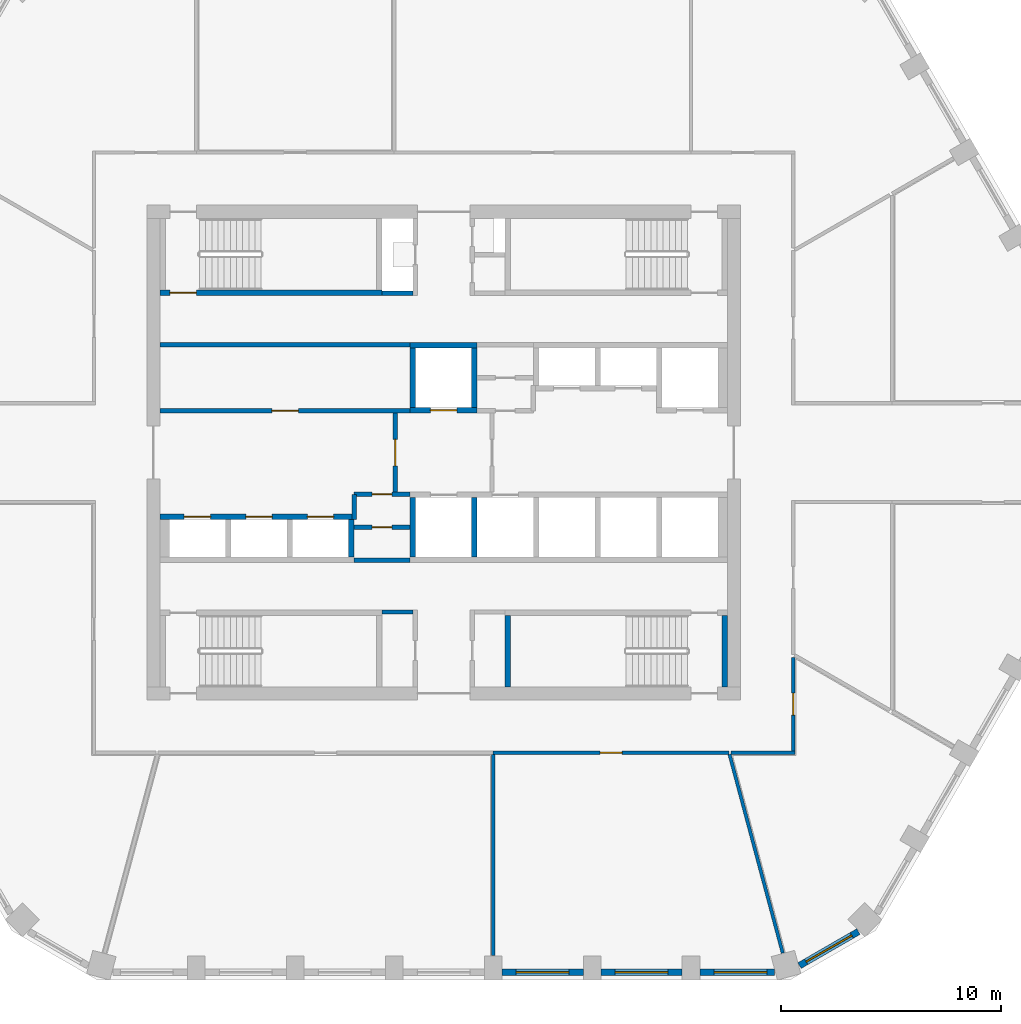
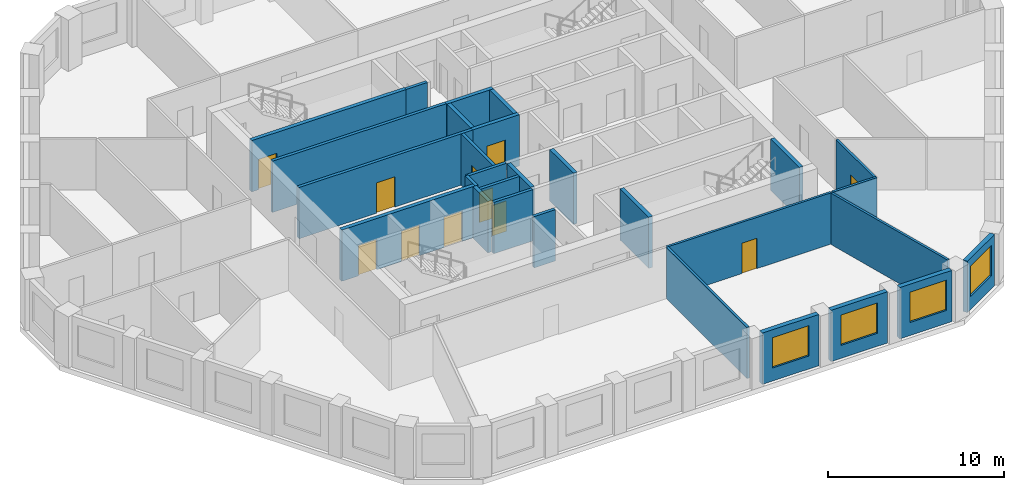
# One storey, part 3 of 11: 29 walls, 11 doors, 4 windows, 15 openings.
"""IFC4 building model written with IfcOpenShell, lengths in metres."""

from ifc_helpers import new_model, si_unit, direction, frame, frame_2d, origin, place, context, subcontext, project, spatial, polyline, rectangle, outline, extrude, material, layer, layer_set, type_object, element, fill, save


model = new_model("IFC4")

# Units and contexts
model_context = context("Model", 3, precision=1e-05, world=origin(), true_north=direction((0.0, 1.0)))
body_context = subcontext(model_context, "Body", "Model", "MODEL_VIEW")
ifc_project = project(units=[si_unit("LENGTHUNIT", "METRE"), si_unit("AREAUNIT", "SQUARE_METRE"), si_unit("VOLUMEUNIT", "CUBIC_METRE"), si_unit("PLANEANGLEUNIT", "RADIAN"), si_unit("MASSUNIT", "GRAM", prefix="KILO")], contexts=[model_context])

# Site, building, storey
site_placement = place(None, origin())
site = spatial("IfcSite", under=ifc_project, at=site_placement, CompositionType="ELEMENT")
building_placement = place(site_placement, origin())
building = spatial("IfcBuilding", under=site, at=building_placement, Name="Dhurran Vertical Campus", CompositionType="ELEMENT")
storey_placement = place(building_placement, frame((0.0, 0.0, 215.10009765625)))
storey = spatial("IfcBuildingStorey", under=building, at=storey_placement, Name="L53", CompositionType="ELEMENT", Elevation=215.10009765625)

# Wall, opening, window
ifc_material_1 = material(Name="Precast concrete C50/60", Category="concrete")
ifc_layer_1 = layer(ifc_material_1, 0.300048828125)
ifc_layer_set_1 = layer_set([ifc_layer_1], Name="Precast concrete C50/60")
wall_type_1 = type_object("IfcWallType", Name="Precast spandrel wall 300", PredefinedType="SOLIDWALL", material=ifc_layer_set_1)
wall_1_placement = place(storey_placement, frame((2.650390625, -23.635498046875, 0.0), z_axis=(0.0, 0.0, 1.0), x_axis=(1.0, 0.0, 0.0)))
wall_1 = element("IfcWall", 1, at=wall_1_placement, inside=storey, type_object=wall_type_1, Name="EW1 L53.04", PredefinedType="SOLIDWALL", context=body_context, shape_type="SweptSolid", body=[
    extrude(rectangle(XDim=3.69921875, YDim=0.300048828125, at=frame_2d((1.849609375, 0.0))), origin(), (0.0, 0.0, 1.0), 3.5498046875),
])
opening_1_placement = place(wall_1_placement, frame((0.6494140625, 0.0, 0.89990234375)))
opening_1 = element("IfcOpeningElement", 2, at=opening_1_placement, cuts=wall_1, Name="Opening WT1", PredefinedType="OPENING", context=body_context, shape_type="SweptSolid", body=[
    extrude(rectangle(XDim=2.39990234375, YDim=2.10009765625, at=frame_2d((1.199951171875, 1.050048828125))), frame((0.0, 0.159912109375, 0.0), z_axis=(0.0, -1.0, 0.0), x_axis=(1.0, 0.0, 0.0)), (0.0, 0.0, 1.0), 0.320068359375),
])
ifc_material_2 = material(Name="Aluminium frame with solar-control glass", Category="aluminium")
window_type = type_object("IfcWindowType", Name="Punched window 2400 x 2100", PartitioningType="SINGLE_PANEL", PredefinedType="WINDOW", material=ifc_material_2)
window_1_placement = place(opening_1_placement, origin())
window_1 = element("IfcWindow", 3, at=window_1_placement, inside=storey, type_object=window_type, Name="WT1 L53.04", OverallHeight=2.10009765625, OverallWidth=2.39990234375, PartitioningType="SINGLE_PANEL", PredefinedType="WINDOW", context=body_context, shape_type="SweptSolid", body=[
    extrude(rectangle(XDim=2.39990234375, YDim=2.10009765625, at=frame_2d((1.199951171875, 1.050048828125))), frame((0.0, 0.030029296875, 0.0), z_axis=(0.0, -1.0, 0.0), x_axis=(1.0, 0.0, 0.0)), (0.0, 0.0, 1.0), 0.06005859375),
])
fill(opening_1, window_1)

wall_2_placement = place(storey_placement, frame((7.150390625, -23.635498046875, 0.0), z_axis=(0.0, 0.0, 1.0), x_axis=(1.0, 0.0, 0.0)))
wall_2 = element("IfcWall", 4, at=wall_2_placement, inside=storey, type_object=wall_type_1, Name="EW1 L53.05", PredefinedType="SOLIDWALL", context=body_context, shape_type="SweptSolid", body=[
    extrude(rectangle(XDim=3.69921875, YDim=0.300048828125, at=frame_2d((1.849609375, 0.0))), origin(), (0.0, 0.0, 1.0), 3.5498046875),
])
opening_2_placement = place(wall_2_placement, frame((0.6494140625, 0.0, 0.89990234375)))
opening_2 = element("IfcOpeningElement", 5, at=opening_2_placement, cuts=wall_2, Name="Opening WT1", PredefinedType="OPENING", context=body_context, shape_type="SweptSolid", body=[
    extrude(rectangle(XDim=2.39990234375, YDim=2.10009765625, at=frame_2d((1.199951171875, 1.050048828125))), frame((0.0, 0.159912109375, 0.0), z_axis=(0.0, -1.0, 0.0), x_axis=(1.0, 0.0, 0.0)), (0.0, 0.0, 1.0), 0.320068359375),
])
window_2_placement = place(opening_2_placement, origin())
window_2 = element("IfcWindow", 6, at=window_2_placement, inside=storey, type_object=window_type, Name="WT1 L53.05", OverallHeight=2.10009765625, OverallWidth=2.39990234375, PartitioningType="SINGLE_PANEL", PredefinedType="WINDOW", context=body_context, shape_type="SweptSolid", body=[
    extrude(rectangle(XDim=2.39990234375, YDim=2.10009765625, at=frame_2d((1.199951171875, 1.050048828125))), frame((0.0, 0.030029296875, 0.0), z_axis=(0.0, -1.0, 0.0), x_axis=(1.0, 0.0, 0.0)), (0.0, 0.0, 1.0), 0.06005859375),
])
fill(opening_2, window_2)

wall_3_placement = place(storey_placement, frame((11.650390625, -23.635498046875, 0.0), z_axis=(0.0, 0.0, 1.0), x_axis=(1.0, 0.0, 0.0)))
wall_3 = element("IfcWall", 7, at=wall_3_placement, inside=storey, type_object=wall_type_1, Name="EW1 L53.06", PredefinedType="SOLIDWALL", context=body_context, shape_type="SweptSolid", body=[
    extrude(rectangle(XDim=3.39599609375, YDim=0.300048828125, at=frame_2d((1.697998046875, 0.0))), origin(), (0.0, 0.0, 1.0), 3.5498046875),
])
opening_3_placement = place(wall_3_placement, frame((0.6494140625, 0.0, 0.89990234375)))
opening_3 = element("IfcOpeningElement", 8, at=opening_3_placement, cuts=wall_3, Name="Opening WT1", PredefinedType="OPENING", context=body_context, shape_type="SweptSolid", body=[
    extrude(rectangle(XDim=2.39990234375, YDim=2.10009765625, at=frame_2d((1.199951171875, 1.050048828125))), frame((0.0, 0.159912109375, 0.0), z_axis=(0.0, -1.0, 0.0), x_axis=(1.0, 0.0, 0.0)), (0.0, 0.0, 1.0), 0.320068359375),
])
window_3_placement = place(opening_3_placement, origin())
window_3 = element("IfcWindow", 9, at=window_3_placement, inside=storey, type_object=window_type, Name="WT1 L53.06", OverallHeight=2.10009765625, OverallWidth=2.39990234375, PartitioningType="SINGLE_PANEL", PredefinedType="WINDOW", context=body_context, shape_type="SweptSolid", body=[
    extrude(rectangle(XDim=2.39990234375, YDim=2.10009765625, at=frame_2d((1.199951171875, 1.050048828125))), frame((0.0, 0.030029296875, 0.0), z_axis=(0.0, -1.0, 0.0), x_axis=(1.0, 0.0, 0.0)), (0.0, 0.0, 1.0), 0.06005859375),
])
fill(opening_3, window_3)

wall_4_placement = place(storey_placement, frame((16.184326171875, -23.330810546875, 0.0), z_axis=(0.0, 0.0, 1.0), x_axis=(0.865994975416, 0.500052699777, 0.0)))
wall_4 = element("IfcWall", 10, at=wall_4_placement, inside=storey, type_object=wall_type_1, Name="EW1 L53.07", PredefinedType="SOLIDWALL", context=body_context, shape_type="SweptSolid", body=[
    extrude(rectangle(XDim=3.093017578125, YDim=0.300048828125, at=frame_2d((1.54638671875, 0.0))), origin(), (0.0, 0.0, 1.0), 3.5498046875),
])
opening_4_placement = place(wall_4_placement, frame((0.346435546875, 0.0, 0.89990234375)))
opening_4 = element("IfcOpeningElement", 11, at=opening_4_placement, cuts=wall_4, Name="Opening WT1", PredefinedType="OPENING", context=body_context, shape_type="SweptSolid", body=[
    extrude(rectangle(XDim=2.39990234375, YDim=2.10009765625, at=frame_2d((1.199951171875, 1.050048828125))), frame((0.0, 0.159912109375, 0.0), z_axis=(0.0, -1.0, 0.0), x_axis=(1.0, 0.0, 0.0)), (0.0, 0.0, 1.0), 0.320068359375),
])
window_4_placement = place(opening_4_placement, origin())
window_4 = element("IfcWindow", 12, at=window_4_placement, inside=storey, type_object=window_type, Name="WT1 L53.07", OverallHeight=2.10009765625, OverallWidth=2.39990234375, PartitioningType="SINGLE_PANEL", PredefinedType="WINDOW", context=body_context, shape_type="SweptSolid", body=[
    extrude(rectangle(XDim=2.39990234375, YDim=2.10009765625, at=frame_2d((1.199951171875, 1.050048828125))), frame((0.0, 0.030029296875, 0.0), z_axis=(0.0, -1.0, 0.0), x_axis=(1.0, 0.0, 0.0)), (0.0, 0.0, 1.0), 0.06005859375),
])
fill(opening_4, window_4)

# Wall, opening, door
ifc_material_3 = material(Name="Fire-rated masonry blockwork", Category="masonry")
ifc_layer_2 = layer(ifc_material_3, 0.199951171875)
ifc_layer_set_2 = layer_set([ifc_layer_2], Name="Fire-rated masonry blockwork")
wall_type_2 = type_object("IfcWallType", Name="co-FIRE-PARTITION-200", PredefinedType="PARTITIONING", material=ifc_layer_set_2)
wall_5_placement = place(storey_placement, frame((-2.199951171875, -1.800048828125, 0.0), z_axis=(0.0, 0.0, 1.0), x_axis=(0.0, 1.0, 0.0)))
wall_5 = element("IfcWall", 13, at=wall_5_placement, inside=storey, type_object=wall_type_2, Name="Firefighting lobby wall W L53", PredefinedType="PARTITIONING", context=body_context, shape_type="SweptSolid", body=[
    extrude(rectangle(XDim=3.60009765625, YDim=0.199951171875, at=frame_2d((1.800048828125, 0.0))), origin(), (0.0, 0.0, 1.0), 3.5498046875),
])
opening_5_placement = place(wall_5_placement, frame((1.199951171875, 0.0, 0.0)))
opening_5 = element("IfcOpeningElement", 14, at=opening_5_placement, cuts=wall_5, Name="Opening FL1", PredefinedType="OPENING", context=body_context, shape_type="SweptSolid", body=[
    extrude(rectangle(XDim=1.199951171875, YDim=2.10009765625, at=frame_2d((0.60009765625, 1.050048828125))), frame((0.0, 0.10986328125, 0.0), z_axis=(0.0, -1.0, 0.0), x_axis=(1.0, 0.0, 0.0)), (0.0, 0.0, 1.0), 0.219970703125),
])
ifc_material_4 = material(Name="Fire-rated steel door set", Category="steel")
door_type_1 = type_object("IfcDoorType", Name="co-D-FFLOBBY 1200x2100", OperationType="SINGLE_SWING_LEFT", PredefinedType="DOOR", material=ifc_material_4)
door_1_placement = place(opening_5_placement, origin())
door_1 = element("IfcDoor", 15, at=door_1_placement, inside=storey, type_object=door_type_1, Name="Firefighting lobby door W L53", OperationType="SINGLE_SWING_LEFT", OverallHeight=2.10009765625, OverallWidth=1.199951171875, PredefinedType="DOOR", context=body_context, shape_type="SweptSolid", body=[
    extrude(rectangle(XDim=1.199951171875, YDim=2.10009765625, at=frame_2d((0.60009765625, 1.050048828125))), frame((0.0, 0.02490234375, 0.0), z_axis=(0.0, -1.0, 0.0), x_axis=(1.0, 0.0, 0.0)), (0.0, 0.0, 1.0), 0.050048828125),
])
fill(opening_5, door_1)

# Walls
for number, where, z_axis, x_axis, name in (
    (16, (-2.800048828125, 7.25, 0.0), (0.0, 0.0, 1.0), (1.0, 0.0, 0.0), "Core partition sl-NW-S L53"),
    (17, (-2.800048828125, -7.25, 0.0), (0.0, 0.0, 1.0), (1.0, 0.0, 0.0), "Core partition sl-SW-S L53"),
):
    element("IfcWall", number, at=place(storey_placement, frame(where, z_axis=z_axis, x_axis=x_axis)), inside=storey, type_object=wall_type_2, Name=name, PredefinedType="PARTITIONING", context=body_context, shape_type="SweptSolid", body=[
        extrude(rectangle(XDim=1.400146484375, YDim=0.199951171875, at=frame_2d((0.7001953125, 0.0))), origin(), (0.0, 0.0, 1.0), 3.5498046875),
    ])

# Wall, opening, door
wall_6_placement = place(storey_placement, frame((-12.89990234375, 1.89990234375, 0.0), z_axis=(0.0, 0.0, 1.0), x_axis=(1.0, 0.0, 0.0)))
wall_6 = element("IfcWall", 18, at=wall_6_placement, inside=storey, type_object=wall_type_2, Name="Core partition fr-N0-f L53", PredefinedType="PARTITIONING", context=body_context, shape_type="SweptSolid", body=[
    extrude(rectangle(XDim=11.375, YDim=0.199951171875, at=frame_2d((5.6875, 0.0))), origin(), (0.0, 0.0, 1.0), 3.5498046875),
])
opening_6_placement = place(wall_6_placement, frame((5.08740234375, 0.0, 0.0)))
opening_6 = element("IfcOpeningElement", 19, at=opening_6_placement, cuts=wall_6, Name="Opening T15-C6", PredefinedType="OPENING", context=body_context, shape_type="SweptSolid", body=[
    extrude(rectangle(XDim=1.199951171875, YDim=2.10009765625, at=frame_2d((0.60009765625, 1.050048828125))), frame((0.0, 0.10986328125, 0.0), z_axis=(0.0, -1.0, 0.0), x_axis=(1.0, 0.0, 0.0)), (0.0, 0.0, 1.0), 0.219970703125),
])
ifc_material_5 = material(Name="Fire-rated steel door set", Category="steel")
door_type_2 = type_object("IfcDoorType", Name="co-D-ROOM-PASSAGE 1200x2100", OperationType="SINGLE_SWING_RIGHT", PredefinedType="DOOR", material=ifc_material_5)
door_2_placement = place(opening_6_placement, origin())
door_2 = element("IfcDoor", 20, at=door_2_placement, inside=storey, type_object=door_type_2, Name="Print room door L53", OperationType="SINGLE_SWING_RIGHT", OverallHeight=2.10009765625, OverallWidth=1.199951171875, PredefinedType="DOOR", context=body_context, shape_type="SweptSolid", body=[
    extrude(rectangle(XDim=1.199951171875, YDim=2.10009765625, at=frame_2d((0.60009765625, 1.050048828125))), frame((0.0, 0.02490234375, 0.0), z_axis=(0.0, -1.0, 0.0), x_axis=(1.0, 0.0, 0.0)), (0.0, 0.0, 1.0), 0.050048828125),
])
fill(opening_6, door_2)

# Wall
wall_7_placement = place(storey_placement, frame((-12.89990234375, 4.89990234375, 0.0), z_axis=(0.0, 0.0, 1.0), x_axis=(1.0, 0.0, 0.0)))
element("IfcWall", 21, at=wall_7_placement, inside=storey, type_object=wall_type_2, Name="Core partition fr-N0-b L53", PredefinedType="PARTITIONING", context=body_context, shape_type="SweptSolid", body=[
    extrude(rectangle(XDim=11.375, YDim=0.199951171875, at=frame_2d((5.6875, 0.0))), origin(), (0.0, 0.0, 1.0), 3.5498046875),
])

# Wall, opening, door
wall_8_placement = place(storey_placement, frame((-4.074951171875, -3.39990234375, 0.0), z_axis=(0.0, 0.0, 1.0), x_axis=(1.0, 0.0, 0.0)))
wall_8 = element("IfcWall", 22, at=wall_8_placement, inside=storey, type_object=wall_type_2, Name="Core partition fr-S0-c L53", PredefinedType="PARTITIONING", context=body_context, shape_type="SweptSolid", body=[
    extrude(rectangle(XDim=2.550048828125, YDim=0.199951171875, at=frame_2d((1.27490234375, 0.0))), origin(), (0.0, 0.0, 1.0), 3.5498046875),
])
opening_7_placement = place(wall_8_placement, frame((0.824951171875, 0.0, 0.0)))
opening_7 = element("IfcOpeningElement", 23, at=opening_7_placement, cuts=wall_8, Name="Opening T15-C9", PredefinedType="OPENING", context=body_context, shape_type="SweptSolid", body=[
    extrude(rectangle(XDim=0.89990234375, YDim=2.10009765625, at=frame_2d((0.449951171875, 1.050048828125))), frame((0.0, 0.10986328125, 0.0), z_axis=(0.0, -1.0, 0.0), x_axis=(1.0, 0.0, 0.0)), (0.0, 0.0, 1.0), 0.219970703125),
])
ifc_material_6 = material(Name="Fire-rated timber door set", Category="wood")
door_type_3 = type_object("IfcDoorType", Name="co-D-ROOM 900x2100", OperationType="SINGLE_SWING_LEFT", PredefinedType="DOOR", material=ifc_material_6)
door_3_placement = place(opening_7_placement, origin())
door_3 = element("IfcDoor", 24, at=door_3_placement, inside=storey, type_object=door_type_3, Name="Housekeeping store door L53", OperationType="SINGLE_SWING_LEFT", OverallHeight=2.10009765625, OverallWidth=0.89990234375, PredefinedType="DOOR", context=body_context, shape_type="SweptSolid", body=[
    extrude(rectangle(XDim=0.89990234375, YDim=2.10009765625, at=frame_2d((0.449951171875, 1.050048828125))), frame((0.0, 0.02490234375, 0.0), z_axis=(0.0, -1.0, 0.0), x_axis=(1.0, 0.0, 0.0)), (0.0, 0.0, 1.0), 0.050048828125),
])
fill(opening_7, door_3)

wall_9_placement = place(storey_placement, frame((-4.074951171875, -1.89990234375, 0.0), z_axis=(0.0, 0.0, 1.0), x_axis=(1.0, 0.0, 0.0)))
wall_9 = element("IfcWall", 25, at=wall_9_placement, inside=storey, type_object=wall_type_2, Name="Core partition fr-S0-f L53", PredefinedType="PARTITIONING", context=body_context, shape_type="SweptSolid", body=[
    extrude(rectangle(XDim=2.550048828125, YDim=0.199951171875, at=frame_2d((1.27490234375, 0.0))), origin(), (0.0, 0.0, 1.0), 3.5498046875),
])
opening_8_placement = place(wall_9_placement, frame((0.824951171875, 0.0, 0.0)))
opening_8 = element("IfcOpeningElement", 26, at=opening_8_placement, cuts=wall_9, Name="Opening T15-C10", PredefinedType="OPENING", context=body_context, shape_type="SweptSolid", body=[
    extrude(rectangle(XDim=0.89990234375, YDim=2.10009765625, at=frame_2d((0.449951171875, 1.050048828125))), frame((0.0, 0.10986328125, 0.0), z_axis=(0.0, -1.0, 0.0), x_axis=(1.0, 0.0, 0.0)), (0.0, 0.0, 1.0), 0.219970703125),
])
door_4_placement = place(opening_8_placement, origin())
door_4 = element("IfcDoor", 27, at=door_4_placement, inside=storey, type_object=door_type_3, Name="Plant room door L53", OperationType="SINGLE_SWING_LEFT", OverallHeight=2.10009765625, OverallWidth=0.89990234375, PredefinedType="DOOR", context=body_context, shape_type="SweptSolid", body=[
    extrude(rectangle(XDim=0.89990234375, YDim=2.10009765625, at=frame_2d((0.449951171875, 1.050048828125))), frame((0.0, 0.02490234375, 0.0), z_axis=(0.0, -1.0, 0.0), x_axis=(1.0, 0.0, 0.0)), (0.0, 0.0, 1.0), 0.050048828125),
])
fill(opening_8, door_4)

# Walls
wall_10_placement = place(storey_placement, frame((-4.074951171875, -4.89990234375, 0.0), z_axis=(0.0, 0.0, 1.0), x_axis=(1.0, 0.0, 0.0)))
element("IfcWall", 28, at=wall_10_placement, inside=storey, type_object=wall_type_2, Name="Core partition fr-S0-b L53", PredefinedType="PARTITIONING", context=body_context, shape_type="SweptSolid", body=[
    extrude(rectangle(XDim=2.550048828125, YDim=0.199951171875, at=frame_2d((1.27490234375, 0.0))), origin(), (0.0, 0.0, 1.0), 3.5498046875),
])
wall_11_placement = place(storey_placement, frame((-4.074951171875, -1.89990234375, 0.0), z_axis=(0.0, 0.0, 1.0), x_axis=(0.0, -1.0, 0.0)))
element("IfcWall", 29, at=wall_11_placement, inside=storey, type_object=wall_type_2, Name="Core partition fr-S0-n0 L53", PredefinedType="PARTITIONING", context=body_context, shape_type="SweptSolid", body=[
    extrude(rectangle(XDim=1.150146484375, YDim=0.199951171875, at=frame_2d((0.5751953125, 0.0))), origin(), (0.0, 0.0, 1.0), 3.5498046875),
])

# Wall, opening, door
ifc_material_7 = material(Name="Concrete C50/60", Category="concrete")
ifc_layer_3 = layer(ifc_material_7, 0.25)
ifc_layer_set_3 = layer_set([ifc_layer_3], Name="Concrete C50/60")
wall_type_3 = type_object("IfcWallType", Name="co-SHAFT-FRONT-250", PredefinedType="SHEAR", material=ifc_layer_set_3)
wall_12_placement = place(storey_placement, frame((-1.52490234375, 1.925048828125, 0.0), z_axis=(0.0, 0.0, 1.0), x_axis=(1.0, 0.0, 0.0)))
wall_12 = element("IfcWall", 30, at=wall_12_placement, inside=storey, type_object=wall_type_3, Name="Lift landing wall N L53", PredefinedType="SHEAR", context=body_context, shape_type="SweptSolid", body=[
    extrude(rectangle(XDim=3.0498046875, YDim=0.25, at=frame_2d((1.52490234375, 0.0))), origin(), (0.0, 0.0, 1.0), 3.5498046875),
])
opening_9_placement = place(wall_12_placement, frame((0.925048828125, 0.0, 0.0)))
opening_9 = element("IfcOpeningElement", 31, at=opening_9_placement, cuts=wall_12, Name="Opening LD", PredefinedType="OPENING", context=body_context, shape_type="SweptSolid", body=[
    extrude(rectangle(XDim=1.199951171875, YDim=2.10009765625, at=frame_2d((0.60009765625, 1.050048828125))), frame((0.0, 0.135009765625, 0.0), z_axis=(0.0, -1.0, 0.0), x_axis=(1.0, 0.0, 0.0)), (0.0, 0.0, 1.0), 0.27001953125),
])
ifc_material_8 = material(Name="Stainless steel landing door", Category="steel")
door_type_4 = type_object("IfcDoorType", Name="co-D-LANDING 1200x2100", OperationType="DOUBLE_DOOR_SLIDING", PredefinedType="DOOR", material=ifc_material_8)
door_5_placement = place(opening_9_placement, origin())
door_5 = element("IfcDoor", 32, at=door_5_placement, inside=storey, type_object=door_type_4, Name="Landing door FF1 L53", OperationType="DOUBLE_DOOR_SLIDING", OverallHeight=2.10009765625, OverallWidth=1.199951171875, PredefinedType="DOOR", context=body_context, shape_type="SweptSolid", body=[
    extrude(rectangle(XDim=1.199951171875, YDim=2.10009765625, at=frame_2d((0.60009765625, 1.050048828125))), frame((0.0, 0.02490234375, 0.0), z_axis=(0.0, -1.0, 0.0), x_axis=(1.0, 0.0, 0.0)), (0.0, 0.0, 1.0), 0.050048828125),
])
fill(opening_9, door_5)

# Wall, openings, doors
wall_13_placement = place(storey_placement, frame((-12.89990234375, -2.925048828125, 0.0), z_axis=(0.0, 0.0, 1.0), x_axis=(1.0, 0.0, 0.0)))
wall_13 = element("IfcWall", 33, at=wall_13_placement, inside=storey, type_object=wall_type_3, Name="Lift landing wall S L53", PredefinedType="SHEAR", context=body_context, shape_type="SweptSolid", body=[
    extrude(rectangle(XDim=8.824951171875, YDim=0.25, at=frame_2d((4.41259765625, 0.0))), origin(), (0.0, 0.0, 1.0), 3.5498046875),
])
opening_10_placement = place(wall_13_placement, frame((1.10009765625, 0.0, 0.0)))
opening_10 = element("IfcOpeningElement", 34, at=opening_10_placement, cuts=wall_13, Name="Opening LD", PredefinedType="OPENING", context=body_context, shape_type="SweptSolid", body=[
    extrude(rectangle(XDim=1.199951171875, YDim=2.10009765625, at=frame_2d((0.60009765625, 1.050048828125))), frame((0.0, 0.135009765625, 0.0), z_axis=(0.0, -1.0, 0.0), x_axis=(1.0, 0.0, 0.0)), (0.0, 0.0, 1.0), 0.27001953125),
])
opening_11_placement = place(wall_13_placement, frame((3.89990234375, 0.0, 0.0)))
opening_11 = element("IfcOpeningElement", 35, at=opening_11_placement, cuts=wall_13, Name="Opening LD", PredefinedType="OPENING", context=body_context, shape_type="SweptSolid", body=[
    extrude(rectangle(XDim=1.199951171875, YDim=2.10009765625, at=frame_2d((0.60009765625, 1.050048828125))), frame((0.0, 0.135009765625, 0.0), z_axis=(0.0, -1.0, 0.0), x_axis=(1.0, 0.0, 0.0)), (0.0, 0.0, 1.0), 0.27001953125),
])
opening_12_placement = place(wall_13_placement, frame((6.699951171875, 0.0, 0.0)))
opening_12 = element("IfcOpeningElement", 36, at=opening_12_placement, cuts=wall_13, Name="Opening LD", PredefinedType="OPENING", context=body_context, shape_type="SweptSolid", body=[
    extrude(rectangle(XDim=1.199951171875, YDim=2.10009765625, at=frame_2d((0.60009765625, 1.050048828125))), frame((0.0, 0.135009765625, 0.0), z_axis=(0.0, -1.0, 0.0), x_axis=(1.0, 0.0, 0.0)), (0.0, 0.0, 1.0), 0.27001953125),
])
door_6_placement = place(opening_10_placement, origin())
door_6 = element("IfcDoor", 37, at=door_6_placement, inside=storey, type_object=door_type_4, Name="Landing door MR3 L53", OperationType="DOUBLE_DOOR_SLIDING", OverallHeight=2.10009765625, OverallWidth=1.199951171875, PredefinedType="DOOR", context=body_context, shape_type="SweptSolid", body=[
    extrude(rectangle(XDim=1.199951171875, YDim=2.10009765625, at=frame_2d((0.60009765625, 1.050048828125))), frame((0.0, 0.02490234375, 0.0), z_axis=(0.0, -1.0, 0.0), x_axis=(1.0, 0.0, 0.0)), (0.0, 0.0, 1.0), 0.050048828125),
])
fill(opening_10, door_6)
door_7_placement = place(opening_11_placement, origin())
door_7 = element("IfcDoor", 38, at=door_7_placement, inside=storey, type_object=door_type_4, Name="Landing door MR4 L53", OperationType="DOUBLE_DOOR_SLIDING", OverallHeight=2.10009765625, OverallWidth=1.199951171875, PredefinedType="DOOR", context=body_context, shape_type="SweptSolid", body=[
    extrude(rectangle(XDim=1.199951171875, YDim=2.10009765625, at=frame_2d((0.60009765625, 1.050048828125))), frame((0.0, 0.02490234375, 0.0), z_axis=(0.0, -1.0, 0.0), x_axis=(1.0, 0.0, 0.0)), (0.0, 0.0, 1.0), 0.050048828125),
])
fill(opening_11, door_7)
door_8_placement = place(opening_12_placement, origin())
door_8 = element("IfcDoor", 39, at=door_8_placement, inside=storey, type_object=door_type_4, Name="Landing door MR5 L53", OperationType="DOUBLE_DOOR_SLIDING", OverallHeight=2.10009765625, OverallWidth=1.199951171875, PredefinedType="DOOR", context=body_context, shape_type="SweptSolid", body=[
    extrude(rectangle(XDim=1.199951171875, YDim=2.10009765625, at=frame_2d((0.60009765625, 1.050048828125))), frame((0.0, 0.02490234375, 0.0), z_axis=(0.0, -1.0, 0.0), x_axis=(1.0, 0.0, 0.0)), (0.0, 0.0, 1.0), 0.050048828125),
])
fill(opening_12, door_8)

# Walls
ifc_material_9 = material(Name="Concrete C50/60", Category="concrete")
ifc_layer_4 = layer(ifc_material_9, 0.25)
ifc_layer_set_4 = layer_set([ifc_layer_4], Name="Concrete C50/60")
wall_type_4 = type_object("IfcWallType", Name="co-SHAFT-MASS-250", PredefinedType="SHEAR", material=ifc_layer_set_4)
wall_14_placement = place(storey_placement, origin())
element("IfcWall", 40, at=wall_14_placement, inside=storey, type_object=wall_type_4, Name="Lift shaft wall N L53 1", PredefinedType="SHEAR", context=body_context, shape_type="SweptSolid", body=[
    extrude(outline(polyline([(-1.52490234375, 4.75), (1.52490234375, 4.75), (1.52490234375, 5.0), (-1.52490234375, 5.0), (-1.52490234375, 4.75)])), origin(), (0.0, 0.0, 1.0), 3.5498046875),
])
wall_15_placement = place(storey_placement, origin())
element("IfcWall", 41, at=wall_15_placement, inside=storey, type_object=wall_type_4, Name="Lift shaft wall N L53 3", PredefinedType="SHEAR", context=body_context, shape_type="SweptSolid", body=[
    extrude(outline(polyline([(-1.52490234375, 2.050048828125), (-1.27490234375, 2.050048828125), (-1.27490234375, 4.75), (-1.52490234375, 4.75), (-1.52490234375, 2.050048828125)])), origin(), (0.0, 0.0, 1.0), 3.5498046875),
])
wall_16_placement = place(storey_placement, origin())
element("IfcWall", 42, at=wall_16_placement, inside=storey, type_object=wall_type_4, Name="Lift shaft wall N L53 4", PredefinedType="SHEAR", context=body_context, shape_type="SweptSolid", body=[
    extrude(outline(polyline([(1.27490234375, 2.050048828125), (1.52490234375, 2.050048828125), (1.52490234375, 4.75), (1.27490234375, 4.75), (1.27490234375, 2.050048828125)])), origin(), (0.0, 0.0, 1.0), 3.5498046875),
])
wall_17_placement = place(storey_placement, origin())
element("IfcWall", 43, at=wall_17_placement, inside=storey, type_object=wall_type_4, Name="Lift shaft wall S L53 6", PredefinedType="SHEAR", context=body_context, shape_type="SweptSolid", body=[
    extrude(outline(polyline([(-4.324951171875, -4.75), (-4.074951171875, -4.75), (-4.074951171875, -3.050048828125), (-4.324951171875, -3.050048828125), (-4.324951171875, -4.75)])), origin(), (0.0, 0.0, 1.0), 3.5498046875),
])
wall_18_placement = place(storey_placement, origin())
element("IfcWall", 44, at=wall_18_placement, inside=storey, type_object=wall_type_4, Name="Lift shaft wall S L53 7", PredefinedType="SHEAR", context=body_context, shape_type="SweptSolid", body=[
    extrude(outline(polyline([(-1.52490234375, -4.75), (-1.27490234375, -4.75), (-1.27490234375, -2.050048828125), (-1.52490234375, -2.050048828125), (-1.52490234375, -4.75)])), origin(), (0.0, 0.0, 1.0), 3.5498046875),
])
wall_19_placement = place(storey_placement, origin())
element("IfcWall", 45, at=wall_19_placement, inside=storey, type_object=wall_type_4, Name="Lift shaft wall S L53 8", PredefinedType="SHEAR", context=body_context, shape_type="SweptSolid", body=[
    extrude(outline(polyline([(1.27490234375, -4.75), (1.52490234375, -4.75), (1.52490234375, -2.050048828125), (1.27490234375, -2.050048828125), (1.27490234375, -4.75)])), origin(), (0.0, 0.0, 1.0), 3.5498046875),
])

# Wall, opening, door
ifc_material_10 = material(Name="Concrete C40/50", Category="concrete")
ifc_layer_5 = layer(ifc_material_10, 0.25)
ifc_layer_set_5 = layer_set([ifc_layer_5], Name="Concrete C40/50")
wall_type_5 = type_object("IfcWallType", Name="co-STAIR-WALL-250", PredefinedType="SHEAR", material=ifc_layer_set_5)
wall_20_placement = place(storey_placement, frame((-12.89990234375, 7.27490234375, 0.0), z_axis=(0.0, 0.0, 1.0), x_axis=(1.0, 0.0, 0.0)))
wall_20 = element("IfcWall", 46, at=wall_20_placement, inside=storey, type_object=wall_type_5, Name="Stair ST1 enclosure wall L53", PredefinedType="SHEAR", context=body_context, shape_type="SweptSolid", body=[
    extrude(rectangle(XDim=10.099853515625, YDim=0.25, at=frame_2d((5.0498046875, 0.0))), origin(), (0.0, 0.0, 1.0), 3.5498046875),
])
opening_13_placement = place(wall_20_placement, frame((0.449951171875, 0.0, 0.0)))
opening_13 = element("IfcOpeningElement", 47, at=opening_13_placement, cuts=wall_20, Name="Opening SD1", PredefinedType="OPENING", context=body_context, shape_type="SweptSolid", body=[
    extrude(rectangle(XDim=1.199951171875, YDim=2.10009765625, at=frame_2d((0.60009765625, 1.050048828125))), frame((0.0, 0.135009765625, 0.0), z_axis=(0.0, -1.0, 0.0), x_axis=(1.0, 0.0, 0.0)), (0.0, 0.0, 1.0), 0.27001953125),
])
ifc_material_11 = material(Name="Fire-rated steel door set", Category="steel")
door_type_5 = type_object("IfcDoorType", Name="co-D-STAIR 1200x2100", OperationType="SINGLE_SWING_LEFT", PredefinedType="DOOR", material=ifc_material_11)
door_9_placement = place(opening_13_placement, origin())
door_9 = element("IfcDoor", 48, at=door_9_placement, inside=storey, type_object=door_type_5, Name="Stair ST1 door L53", OperationType="SINGLE_SWING_LEFT", OverallHeight=2.10009765625, OverallWidth=1.199951171875, PredefinedType="DOOR", context=body_context, shape_type="SweptSolid", body=[
    extrude(rectangle(XDim=1.199951171875, YDim=2.10009765625, at=frame_2d((0.60009765625, 1.050048828125))), frame((0.0, 0.02490234375, 0.0), z_axis=(0.0, -1.0, 0.0), x_axis=(1.0, 0.0, 0.0)), (0.0, 0.0, 1.0), 0.050048828125),
])
fill(opening_13, door_9)

# Walls
for number, where, z_axis, x_axis, name in (
    (49, (2.925048828125, -10.64990234375, 0.0), (0.0, 0.0, 1.0), (0.0, 1.0, 0.0), "Stair ST4 enclosure wall L53"),
    (50, (12.77490234375, -10.64990234375, 0.0), (0.0, 0.0, 1.0), (0.0, 1.0, 0.0), "Stair ST4 enclosure wall L53"),
):
    element("IfcWall", number, at=place(storey_placement, frame(where, z_axis=z_axis, x_axis=x_axis)), inside=storey, type_object=wall_type_5, Name=name, PredefinedType="SHEAR", context=body_context, shape_type="SweptSolid", body=[
        extrude(rectangle(XDim=3.25, YDim=0.25, at=frame_2d((1.625, 0.0))), origin(), (0.0, 0.0, 1.0), 3.5498046875),
    ])

# Wall, opening, door
ifc_material_12 = material(Name="Gypsum board corridor wall on steel studs", Category="steel")
ifc_layer_6 = layer(ifc_material_12, 0.14990234375)
ifc_layer_set_6 = layer_set([ifc_layer_6], Name="Gypsum board corridor wall on steel studs")
wall_type_6 = type_object("IfcWallType", Name="fl-CW-150 corridor wall", PredefinedType="PARTITIONING", material=ifc_layer_set_6)
wall_21_placement = place(storey_placement, frame((2.25, -13.64990234375, 0.0), z_axis=(0.0, 0.0, 1.0), x_axis=(1.0, 0.0, 0.0)))
wall_21 = element("IfcWall", 51, at=wall_21_placement, inside=storey, type_object=wall_type_6, Name="Partition 53-28", PredefinedType="PARTITIONING", context=body_context, shape_type="SweptSolid", body=[
    extrude(rectangle(XDim=10.73095703125, YDim=0.14990234375, at=frame_2d((5.365478515625, 0.0))), origin(), (0.0, 0.0, 1.0), 3.5498046875),
])
opening_14_placement = place(wall_21_placement, frame((4.865478515625, 0.0, 0.0)))
opening_14 = element("IfcOpeningElement", 52, at=opening_14_placement, cuts=wall_21, Name="Opening T15.11", PredefinedType="OPENING", context=body_context, shape_type="SweptSolid", body=[
    extrude(rectangle(XDim=1.0, YDim=2.10009765625, at=frame_2d((0.5, 1.050048828125))), frame((0.0, 0.0849609375, 0.0), z_axis=(0.0, -1.0, 0.0), x_axis=(1.0, 0.0, 0.0)), (0.0, 0.0, 1.0), 0.169921875),
])
ifc_material_13 = material(Name="Solid-core timber door set, fire-rated", Category="wood")
door_type_6 = type_object("IfcDoorType", Name="fl-D-1000x2100", OperationType="SINGLE_SWING_LEFT", PredefinedType="DOOR", material=ifc_material_13)
door_10_placement = place(opening_14_placement, origin())
door_10 = element("IfcDoor", 53, at=door_10_placement, inside=storey, type_object=door_type_6, Name="Door 53.11", OperationType="SINGLE_SWING_RIGHT", OverallHeight=2.10009765625, OverallWidth=1.0, PredefinedType="DOOR", context=body_context, shape_type="SweptSolid", body=[
    extrude(rectangle(XDim=1.0, YDim=2.10009765625, at=frame_2d((0.5, 1.050048828125))), frame((0.0, 0.02490234375, 0.0), z_axis=(0.0, -1.0, 0.0), x_axis=(1.0, 0.0, 0.0)), (0.0, 0.0, 1.0), 0.050048828125),
])
fill(opening_14, door_10)

# Wall
wall_22_placement = place(storey_placement, frame((13.075927734375, -13.64990234375, 0.0), z_axis=(0.0, 0.0, 1.0), x_axis=(1.0, 0.0, 0.0)))
element("IfcWall", 54, at=wall_22_placement, inside=storey, type_object=wall_type_6, Name="Partition 53-32", PredefinedType="PARTITIONING", context=body_context, shape_type="SweptSolid", body=[
    extrude(rectangle(XDim=2.899169921875, YDim=0.14990234375, at=frame_2d((1.44970703125, 0.0))), origin(), (0.0, 0.0, 1.0), 3.5498046875),
])

# Wall, opening, door
wall_23_placement = place(storey_placement, frame((15.89990234375, -13.574951171875, 0.0), z_axis=(0.0, 0.0, 1.0), x_axis=(0.0, 1.0, 0.0)))
wall_23 = element("IfcWall", 55, at=wall_23_placement, inside=storey, type_object=wall_type_6, Name="Partition 53-33", PredefinedType="PARTITIONING", context=body_context, shape_type="SweptSolid", body=[
    extrude(rectangle(XDim=4.264892578125, YDim=0.14990234375, at=frame_2d((2.13232421875, 0.0))), origin(), (0.0, 0.0, 1.0), 3.5498046875),
])
opening_15_placement = place(wall_23_placement, frame((1.632568359375, 0.0, 0.0)))
opening_15 = element("IfcOpeningElement", 56, at=opening_15_placement, cuts=wall_23, Name="Opening T15.13", PredefinedType="OPENING", context=body_context, shape_type="SweptSolid", body=[
    extrude(rectangle(XDim=1.0, YDim=2.10009765625, at=frame_2d((0.5, 1.050048828125))), frame((0.0, 0.0849609375, 0.0), z_axis=(0.0, -1.0, 0.0), x_axis=(1.0, 0.0, 0.0)), (0.0, 0.0, 1.0), 0.169921875),
])
door_11_placement = place(opening_15_placement, origin())
door_11 = element("IfcDoor", 57, at=door_11_placement, inside=storey, type_object=door_type_6, Name="Door 53.13", OperationType="SINGLE_SWING_RIGHT", OverallHeight=2.10009765625, OverallWidth=1.0, PredefinedType="DOOR", context=body_context, shape_type="SweptSolid", body=[
    extrude(rectangle(XDim=1.0, YDim=2.10009765625, at=frame_2d((0.5, 1.050048828125))), frame((0.0, 0.02490234375, 0.0), z_axis=(0.0, -1.0, 0.0), x_axis=(1.0, 0.0, 0.0)), (0.0, 0.0, 1.0), 0.050048828125),
])
fill(opening_15, door_11)

# Walls
ifc_material_14 = material(Name="Gypsum board partition on steel studs", Category="steel")
ifc_layer_7 = layer(ifc_material_14, 0.14990234375)
ifc_layer_set_7 = layer_set([ifc_layer_7], Name="Gypsum board partition on steel studs")
wall_type_7 = type_object("IfcWallType", Name="fl-PW-150 fixed partition", PredefinedType="PARTITIONING", material=ifc_layer_set_7)
wall_24_placement = place(storey_placement, frame((2.25, -13.72509765625, 0.0), z_axis=(0.0, 0.0, 1.0), x_axis=(0.0, -1.0, 0.0)))
element("IfcWall", 58, at=wall_24_placement, inside=storey, type_object=wall_type_7, Name="Partition 53-27", PredefinedType="PARTITIONING", context=body_context, shape_type="SweptSolid", body=[
    extrude(rectangle(XDim=9.140380859375, YDim=0.14990234375, at=frame_2d((4.5703125, 0.0))), origin(), (0.0, 0.0, 1.0), 3.5498046875),
])
wall_25_placement = place(storey_placement, frame((13.00048828125, -13.722412109375, 0.0), z_axis=(0.0, 0.0, 1.0), x_axis=(0.258812157425, -0.96592767181, 0.0)))
element("IfcWall", 59, at=wall_25_placement, inside=storey, type_object=wall_type_7, Name="Partition 53-31", PredefinedType="PARTITIONING", context=body_context, shape_type="SweptSolid", body=[
    extrude(rectangle(XDim=9.357666015625, YDim=0.14990234375, at=frame_2d((4.6787109375, 0.0))), origin(), (0.0, 0.0, 1.0), 3.5498046875),
])

save(model, "model.ifc")
